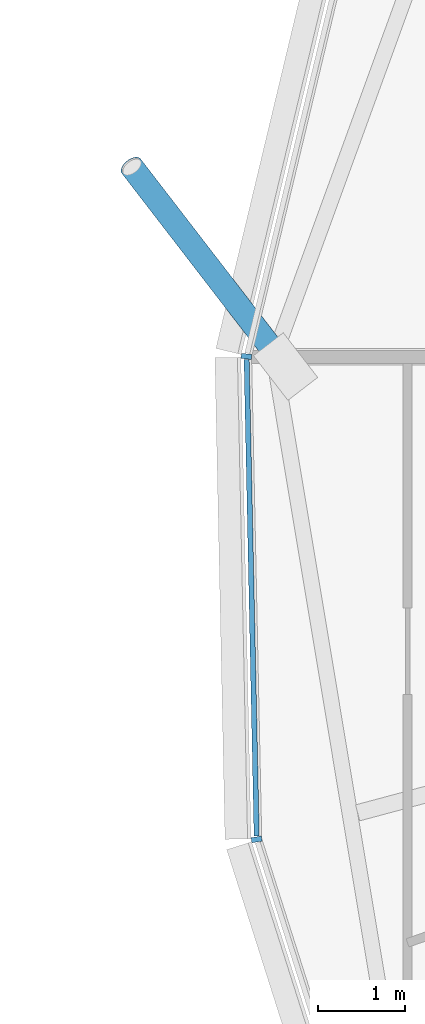
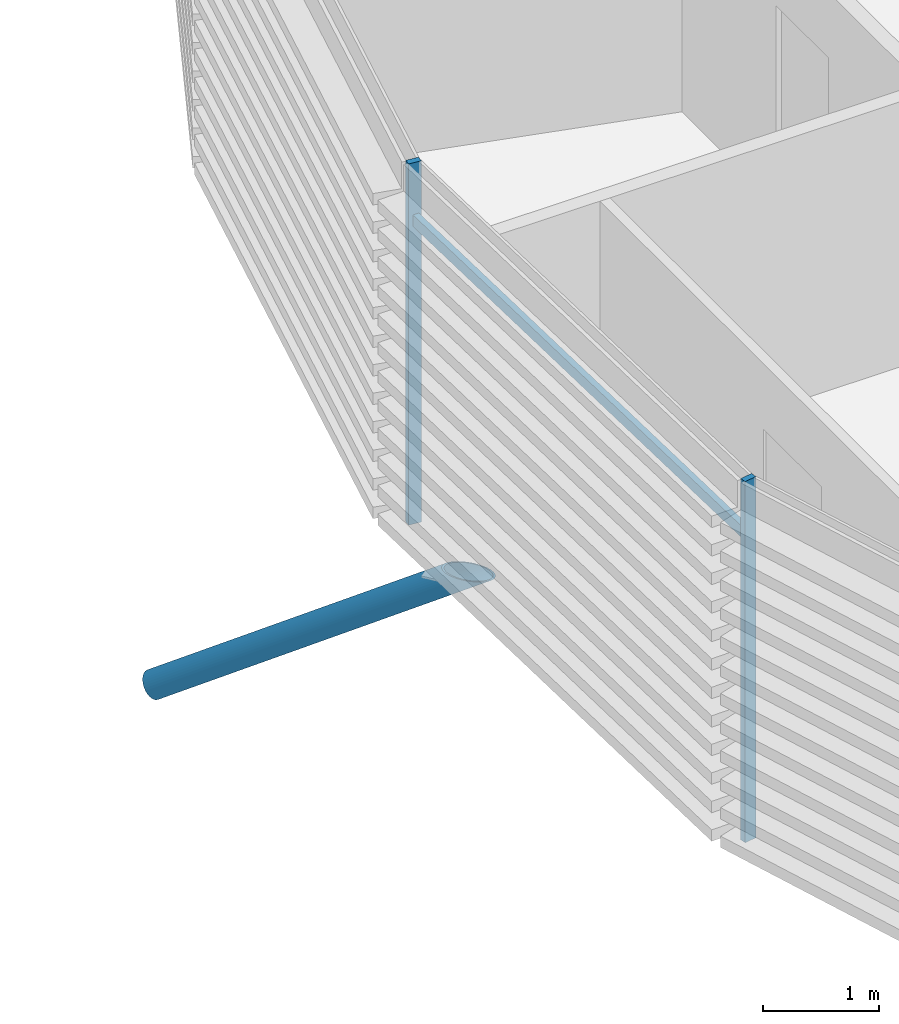
# One storey, part 7 of 37: 4 members, 1 element without a shape of its own.
"""IFC4 building model written with IfcOpenShell, lengths in metres."""

from ifc_helpers import new_model, si_unit, direction, frame, origin, origin_2d, place, context, subcontext, project, spatial, rectangle, hollow_circle, extrude, clip, halfspace, material, material_profile, profile_set, type_object, element, aggregate, save


model = new_model("IFC4")

# Units and contexts
model_context = context("Model", 3, precision=1e-05, world=origin(), true_north=direction((0.0, 1.0)))
body_context = subcontext(model_context, "Body", "Model", "MODEL_VIEW")
ifc_project = project(units=[si_unit("LENGTHUNIT", "METRE"), si_unit("AREAUNIT", "SQUARE_METRE"), si_unit("VOLUMEUNIT", "CUBIC_METRE"), si_unit("PLANEANGLEUNIT", "RADIAN"), si_unit("MASSUNIT", "GRAM", prefix="KILO")], contexts=[model_context])

# Site, building, storey
site_placement = place(None, origin())
site = spatial("IfcSite", under=ifc_project, at=site_placement, CompositionType="ELEMENT")
building_placement = place(site_placement, origin())
building = spatial("IfcBuilding", under=site, at=building_placement, Name="Rimbun Link Towers", CompositionType="ELEMENT")
storey_placement = place(building_placement, frame((0.0, 0.0, 177.89990234375)))
storey = spatial("IfcBuildingStorey", under=building, at=storey_placement, Name="L43", CompositionType="ELEMENT", Elevation=177.89990234375)

# Curtain wall, members
ifc_material_1 = material(Name="Aluminium 6063-T6 and low-iron glass", Category="aluminium")
curtain_wall_type = type_object("IfcCurtainWallType", Name="CW1-Z3 unitised vision wall (zone 3)", PredefinedType="NOTDEFINED", material=ifc_material_1)
curtain_wall_placement = place(storey_placement, origin())
curtain_wall = element("IfcCurtainWall", 1, at=curtain_wall_placement, inside=storey, type_object=curtain_wall_type, Name="CW1 L43 T2", PredefinedType="NOTDEFINED")
ifc_material_2 = material(Name="Aluminium 6063-T6", Category="aluminium")
ifc_material_profile_1 = material_profile(ifc_material_2, rectangle(XDim=0.1201171875, YDim=0.06005859375, at=origin_2d()), Name="MULLION 60X120")
ifc_profile_set_1 = profile_set([ifc_material_profile_1], Name="Aluminium 6063-T6")
member_type_1 = type_object("IfcMemberType", Name="CW1 mullion 60X120", PredefinedType="MULLION", material=ifc_profile_set_1)
member_1_placement = place(storey_placement, frame((10.857177734375, 0.00634765625, 0.0), z_axis=(0.0, 0.0, 1.0), x_axis=(-0.994297606152, 0.106640847711, 0.0)))
member_1 = element("IfcMember", 2, at=member_1_placement, type_object=member_type_1, Name="CW1 mullion", PredefinedType="MULLION", context=body_context, shape_type="SweptSolid", body=[
    extrude(rectangle(XDim=0.1201171875, YDim=0.06005859375, at=origin_2d()), origin(), (0.0, 0.0, 1.0), 3.800048828125),
])
member_2_placement = place(storey_placement, frame((10.974609375, -5.560791015625, 0.0), z_axis=(0.0, 0.0, 1.0), x_axis=(-0.986503078332, -0.163742714165, 0.0)))
member_2 = element("IfcMember", 3, at=member_2_placement, type_object=member_type_1, Name="CW1 mullion", PredefinedType="MULLION", context=body_context, shape_type="SweptSolid", body=[
    extrude(rectangle(XDim=0.1201171875, YDim=0.06005859375, at=origin_2d()), origin(), (0.0, 0.0, 1.0), 3.800048828125),
])
ifc_material_3 = material(Name="Aluminium 6063-T6", Category="aluminium")
ifc_material_profile_2 = material_profile(ifc_material_3, rectangle(XDim=0.06005859375, YDim=0.1201171875, at=origin_2d()), Name="TRANSOM 60X120")
ifc_profile_set_2 = profile_set([ifc_material_profile_2], Name="Aluminium 6063-T6")
member_type_2 = type_object("IfcMemberType", Name="CW1 transom 60X120", PredefinedType="USERDEFINED", material=ifc_profile_set_2)
member_3_placement = place(storey_placement, frame((10.97509765625, -5.522216796875, 3.2001953125), z_axis=(-0.021025985224, 0.999778929537, 0.0), x_axis=(-0.999778929537, -0.021025985224, 0.0)))
member_3 = element("IfcMember", 4, at=member_3_placement, type_object=member_type_2, Name="CW1 transom", ObjectType="TRANSOM", PredefinedType="USERDEFINED", context=body_context, shape_type="SweptSolid", body=[
    extrude(rectangle(XDim=0.06005859375, YDim=0.1201171875, at=origin_2d()), origin(), (0.0, 0.0, 1.0), 5.4921875),
])
aggregate(curtain_wall, [member_1, member_2, member_3])

# Member
ifc_material_4 = material(Name="Steel S355J2H", Category="steel")
ifc_material_profile_3 = material_profile(ifc_material_4, hollow_circle(Radius=0.136474609375, WallThickness=0.012451171875, at=origin_2d()), Name="CHS 273x12.5")
ifc_profile_set_3 = profile_set([ifc_material_profile_3], Name="Steel S355J2H")
member_type_3 = type_object("IfcMemberType", Name="Floor edge link CHS 273x12.5", PredefinedType="BRACE", material=ifc_profile_set_3)
member_4_placement = place(storey_placement, frame((11.223876953125, 0.0, -0.716796875), z_axis=(-0.506841369926, 0.658046854961, -0.556853807033), x_axis=(-0.792244786607, -0.610203407148, 0.0)))
element("IfcMember", 5, at=member_4_placement, inside=storey, type_object=member_type_3, Name="Floor edge link T2 L43 09", PredefinedType="BRACE", context=body_context, shape_type="Clipping", body=[
    clip(extrude(hollow_circle(Radius=0.136474609375, WallThickness=0.012451171875, at=origin_2d()), frame((0.0, 0.0, -0.42529296875)), (0.0, 0.0, 1.0), 3.76904296875), halfspace(frame((0.0, 0.0, -0.2001953125), z_axis=(0.0, 0.830610520998, -0.556853807033)), False)),
])

save(model, "model.ifc")
